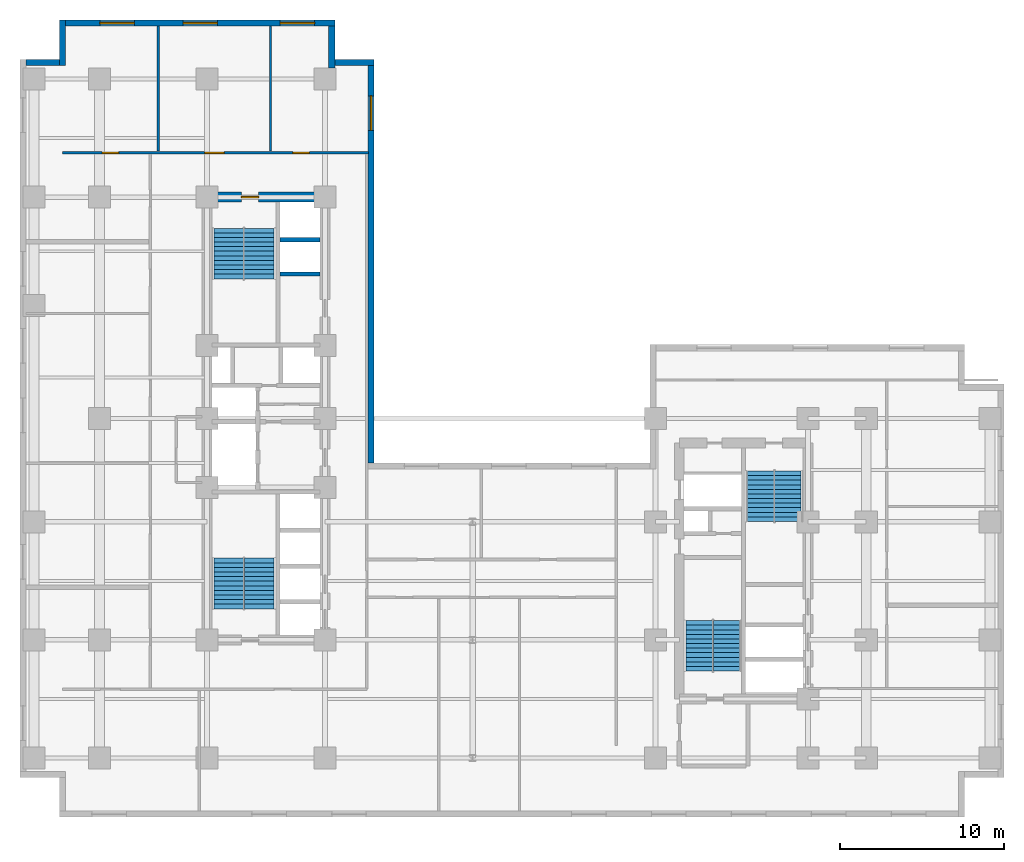
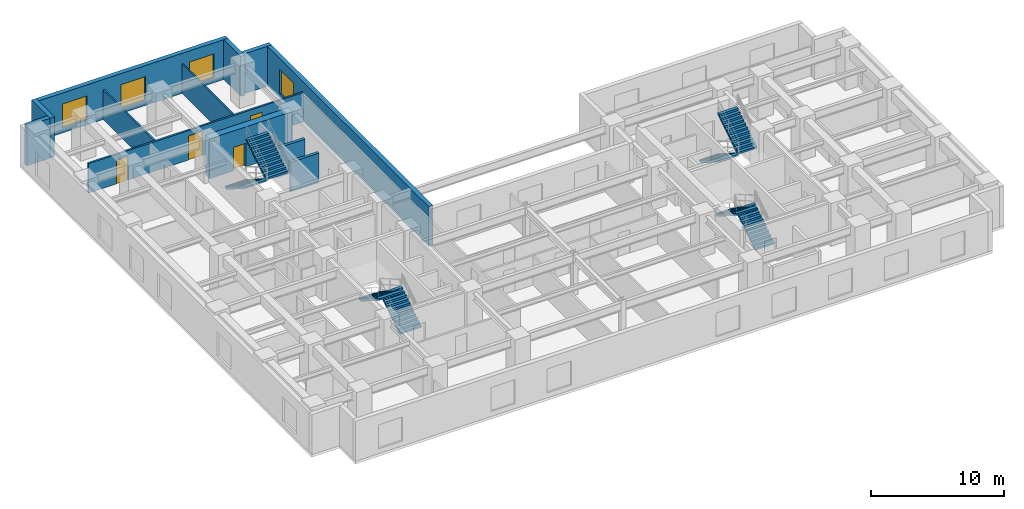
# One storey, part 6 of 9: 12 walls, 8 stair flights, 4 doors, 4 windows, 8 openings, 4 elements without a shape of their own.
"""IFC4 building model written with IfcOpenShell, lengths in metres."""

from ifc_helpers import new_model, entity, si_unit, converted_unit, direction, frame, origin_with_axes, origin_2d_with_axis, place, context, subcontext, project, spatial, polyline, rectangle, outline, extrude, material, layer, layer_set, type_object, element, fill, aggregate, save


model = new_model("IFC4")

# Units and contexts
model_context = context("Model", 3, precision=1e-05, world=origin_with_axes(), true_north=direction((0.0, 1.0)))
body_context = subcontext(model_context, "Body", "Model", "MODEL_VIEW")
ifc_project = project(units=[si_unit("LENGTHUNIT", "METRE"), si_unit("AREAUNIT", "SQUARE_METRE"), si_unit("VOLUMEUNIT", "CUBIC_METRE"), converted_unit("PLANEANGLEUNIT", "DEGREE", entity("IfcPlaneAngleMeasure", 0.017453292519943295), si_unit("PLANEANGLEUNIT", "RADIAN"), dimensions=[0, 0, 0, 0, 0, 0, 0]), si_unit("MASSUNIT", "GRAM", prefix="KILO"), si_unit("THERMODYNAMICTEMPERATUREUNIT", "KELVIN")], contexts=[model_context])

# Site, building, storey
site_placement = place(None, origin_with_axes())
site = spatial("IfcSite", under=ifc_project, at=site_placement, CompositionType="ELEMENT")
building_placement = place(site_placement, origin_with_axes())
building = spatial("IfcBuilding", under=site, at=building_placement, Name="Varnlund Millrace Tower", CompositionType="ELEMENT")
storey_placement = place(building_placement, frame((0.0, 0.0, 56.1), z_axis=(0.0, 0.0, 1.0), x_axis=(1.0, 0.0, 0.0)))
storey = spatial("IfcBuildingStorey", under=building, at=storey_placement, Name="L13", CompositionType="ELEMENT", Elevation=56.1)

# Wall, opening, door
ifc_material_1 = material(Name="Concrete C80/95", Category="concrete")
ifc_layer_1 = layer(ifc_material_1, 0.6, Name="Concrete C80/95")
ifc_layer_set_1 = layer_set([ifc_layer_1], Name="Concrete C80/95")
wall_type_1 = type_object("IfcWallType", Name="Type-CoreWall-Shear-600-C80", PredefinedType="SHEAR", material=ifc_layer_set_1)
wall_1_placement = place(storey_placement, frame((11.4, 37.8, 0.0), z_axis=(0.0, 0.0, 1.0), x_axis=(1.0, 0.0, 0.0)))
wall_1 = element("IfcWall", 1, at=wall_1_placement, inside=storey, type_object=wall_type_1, Name="Type-CoreWall-Shear-600-C80", PredefinedType="SHEAR", context=body_context, shape_type="SweptSolid", body=[
    extrude(outline(polyline([(0.0, -0.3), (7.2, -0.3), (7.2, 0.3), (0.0, 0.3), (0.0, -0.3)])), origin_with_axes(), (0.0, 0.0, 1.0), 3.66),
])
opening_1_placement = place(wall_1_placement, frame((2.625, 0.0, 0.0), z_axis=(0.0, 0.0, 1.0), x_axis=(1.0, 0.0, 0.0)))
opening_1 = element("IfcOpeningElement", 2, at=opening_1_placement, cuts=wall_1, Name="Opening L13:DR-STA2", PredefinedType="OPENING", context=body_context, shape_type="SweptSolid", body=[
    extrude(rectangle(XDim=1.05, YDim=0.62, at=origin_2d_with_axis()), origin_with_axes(), (0.0, 0.0, 1.0), 2.15),
])
ifc_material_2 = material(Name="Fire-rated hollow steel door", Category="steel")
door_type_1 = type_object("IfcDoorType", Name="Type-FireDoor-Stair-1050X2150", OperationType="NOTDEFINED", PredefinedType="DOOR", material=ifc_material_2)
door_1_placement = place(wall_1_placement, frame((2.625, 0.0, 0.0), z_axis=(0.0, 0.0, 1.0), x_axis=(1.0, 0.0, 0.0)))
door_1 = element("IfcDoor", 3, at=door_1_placement, inside=storey, type_object=door_type_1, Name="Type-FireDoor-Stair-1050X2150", OperationType="SINGLE_SWING_RIGHT", OverallHeight=2.15, OverallWidth=1.05, PredefinedType="DOOR", context=body_context, shape_type="SweptSolid", body=[
    extrude(rectangle(XDim=1.05, YDim=0.09, at=origin_2d_with_axis()), origin_with_axes(), (0.0, 0.0, 1.0), 2.15),
])
fill(opening_1, door_1)

# Walls
ifc_material_3 = material(Name="Precast concrete C50/60", Category="concrete")
ifc_layer_2 = layer(ifc_material_3, 0.38, Name="Precast concrete C50/60")
ifc_layer_set_2 = layer_set([ifc_layer_2], Name="Precast concrete C50/60")
wall_type_2 = type_object("IfcWallType", Name="Type-ExtWall-Precast-Tube-380", PredefinedType="SOLIDWALL", material=ifc_layer_set_2)
wall_2_placement = place(storey_placement, frame((0.38, 46.01, 0.0), z_axis=(0.0, 0.0, 1.0), x_axis=(1.0, 0.0, 0.0)))
element("IfcWall", 4, at=wall_2_placement, inside=storey, type_object=wall_type_2, Name="Type-ExtWall-Precast-Tube-380", PredefinedType="SOLIDWALL", context=body_context, shape_type="SweptSolid", body=[
    extrude(outline(polyline([(0.0, -0.19), (2.02, -0.19), (2.02, 0.19), (0.0, 0.19), (0.0, -0.19)])), origin_with_axes(), (0.0, 0.0, 1.0), 3.66),
])
wall_3_placement = place(storey_placement, frame((2.59, 45.82, 0.0), z_axis=(0.0, 0.0, 1.0), x_axis=(0.0, 1.0, 0.0)))
element("IfcWall", 5, at=wall_3_placement, inside=storey, type_object=wall_type_2, Name="Type-ExtWall-Precast-Tube-380", PredefinedType="SOLIDWALL", context=body_context, shape_type="SweptSolid", body=[
    extrude(outline(polyline([(0.0, -0.19), (2.78, -0.19), (2.78, 0.19), (0.0, 0.19), (0.0, -0.19)])), origin_with_axes(), (0.0, 0.0, 1.0), 3.66),
])

# Wall, openings, windows
wall_4_placement = place(storey_placement, frame((2.78, 48.41, 0.0), z_axis=(0.0, 0.0, 1.0), x_axis=(1.0, 0.0, 0.0)))
wall_4 = element("IfcWall", 6, at=wall_4_placement, inside=storey, type_object=wall_type_2, Name="Type-ExtWall-Precast-Tube-380", PredefinedType="SOLIDWALL", context=body_context, shape_type="SweptSolid", body=[
    extrude(outline(polyline([(0.0, -0.19), (16.42, -0.19), (16.42, 0.19), (0.0, 0.19), (0.0, -0.19)])), origin_with_axes(), (0.0, 0.0, 1.0), 3.66),
])
opening_2_placement = place(wall_4_placement, frame((3.137, 0.0, 0.45), z_axis=(0.0, 0.0, 1.0), x_axis=(1.0, 0.0, 0.0)))
opening_2 = element("IfcOpeningElement", 7, at=opening_2_placement, cuts=wall_4, Name="Opening L13:WN-20", PredefinedType="OPENING", context=body_context, shape_type="SweptSolid", body=[
    extrude(rectangle(XDim=2.1, YDim=0.4, at=origin_2d_with_axis()), origin_with_axes(), (0.0, 0.0, 1.0), 2.2),
])
opening_3_placement = place(wall_4_placement, frame((8.21, 0.0, 0.45), z_axis=(0.0, 0.0, 1.0), x_axis=(1.0, 0.0, 0.0)))
opening_3 = element("IfcOpeningElement", 8, at=opening_3_placement, cuts=wall_4, Name="Opening L13:WN-21", PredefinedType="OPENING", context=body_context, shape_type="SweptSolid", body=[
    extrude(rectangle(XDim=2.1, YDim=0.4, at=origin_2d_with_axis()), origin_with_axes(), (0.0, 0.0, 1.0), 2.2),
])
opening_4_placement = place(wall_4_placement, frame((14.133, 0.0, 0.45), z_axis=(0.0, 0.0, 1.0), x_axis=(1.0, 0.0, 0.0)))
opening_4 = element("IfcOpeningElement", 9, at=opening_4_placement, cuts=wall_4, Name="Opening L13:WN-22", PredefinedType="OPENING", context=body_context, shape_type="SweptSolid", body=[
    extrude(rectangle(XDim=2.1, YDim=0.4, at=origin_2d_with_axis()), origin_with_axes(), (0.0, 0.0, 1.0), 2.2),
])
ifc_material_4 = material(Name="Argon low-e triple glazing in thermally broken bronze frame", Category="glass")
window_type = type_object("IfcWindowType", Name="Type-Window-Punched-2100X2200", PartitioningType="SINGLE_PANEL", PredefinedType="WINDOW", material=ifc_material_4)
window_1_placement = place(wall_4_placement, frame((3.137, 0.0, 0.45), z_axis=(0.0, 0.0, 1.0), x_axis=(1.0, 0.0, 0.0)))
window_1 = element("IfcWindow", 10, at=window_1_placement, inside=storey, type_object=window_type, Name="Type-Window-Punched-2100X2200", OverallHeight=2.2, OverallWidth=2.1, PredefinedType="WINDOW", context=body_context, shape_type="SweptSolid", body=[
    extrude(rectangle(XDim=2.1, YDim=0.09, at=origin_2d_with_axis()), origin_with_axes(), (0.0, 0.0, 1.0), 2.2),
])
fill(opening_2, window_1)
window_2_placement = place(wall_4_placement, frame((8.21, 0.0, 0.45), z_axis=(0.0, 0.0, 1.0), x_axis=(1.0, 0.0, 0.0)))
window_2 = element("IfcWindow", 11, at=window_2_placement, inside=storey, type_object=window_type, Name="Type-Window-Punched-2100X2200", OverallHeight=2.2, OverallWidth=2.1, PredefinedType="WINDOW", context=body_context, shape_type="SweptSolid", body=[
    extrude(rectangle(XDim=2.1, YDim=0.09, at=origin_2d_with_axis()), origin_with_axes(), (0.0, 0.0, 1.0), 2.2),
])
fill(opening_3, window_2)
window_3_placement = place(wall_4_placement, frame((14.133, 0.0, 0.45), z_axis=(0.0, 0.0, 1.0), x_axis=(1.0, 0.0, 0.0)))
window_3 = element("IfcWindow", 12, at=window_3_placement, inside=storey, type_object=window_type, Name="Type-Window-Punched-2100X2200", OverallHeight=2.2, OverallWidth=2.1, PredefinedType="WINDOW", context=body_context, shape_type="SweptSolid", body=[
    extrude(rectangle(XDim=2.1, YDim=0.09, at=origin_2d_with_axis()), origin_with_axes(), (0.0, 0.0, 1.0), 2.2),
])
fill(opening_4, window_3)

# Walls
wall_5_placement = place(storey_placement, frame((19.01, 48.22, 0.0), z_axis=(0.0, 0.0, 1.0), x_axis=(0.0, -1.0, 0.0)))
element("IfcWall", 13, at=wall_5_placement, inside=storey, type_object=wall_type_2, Name="Type-ExtWall-Precast-Tube-380", PredefinedType="SOLIDWALL", context=body_context, shape_type="SweptSolid", body=[
    extrude(outline(polyline([(0.0, -0.19), (2.56, -0.19), (2.56, 0.19), (0.0, 0.19), (0.0, -0.19)])), origin_with_axes(), (0.0, 0.0, 1.0), 3.66),
])
wall_6_placement = place(storey_placement, frame((18.82, 46.01, 0.0), z_axis=(0.0, 0.0, 1.0), x_axis=(1.0, 0.0, 0.0)))
element("IfcWall", 14, at=wall_6_placement, inside=storey, type_object=wall_type_2, Name="Type-ExtWall-Precast-Tube-380", PredefinedType="SOLIDWALL", context=body_context, shape_type="SweptSolid", body=[
    extrude(outline(polyline([(0.0, -0.19), (2.78, -0.19), (2.78, 0.19), (0.0, 0.19), (0.0, -0.19)])), origin_with_axes(), (0.0, 0.0, 1.0), 3.66),
])

# Wall, opening, window
wall_7_placement = place(storey_placement, frame((21.41, 45.82, 0.0), z_axis=(0.0, 0.0, 1.0), x_axis=(0.0, -1.0, 0.0)))
wall_7 = element("IfcWall", 15, at=wall_7_placement, inside=storey, type_object=wall_type_2, Name="Type-ExtWall-Precast-Tube-380", PredefinedType="SOLIDWALL", context=body_context, shape_type="SweptSolid", body=[
    extrude(outline(polyline([(0.0, -0.19), (24.22, -0.19), (24.22, 0.19), (0.0, 0.19), (0.0, -0.19)])), origin_with_axes(), (0.0, 0.0, 1.0), 3.66),
])
opening_5_placement = place(wall_7_placement, frame((2.902, 0.0, 0.45), z_axis=(0.0, 0.0, 1.0), x_axis=(1.0, 0.0, 0.0)))
opening_5 = element("IfcOpeningElement", 16, at=opening_5_placement, cuts=wall_7, Name="Opening L13:WN-23", PredefinedType="OPENING", context=body_context, shape_type="SweptSolid", body=[
    extrude(rectangle(XDim=2.1, YDim=0.4, at=origin_2d_with_axis()), origin_with_axes(), (0.0, 0.0, 1.0), 2.2),
])
window_4_placement = place(wall_7_placement, frame((2.902, 0.0, 0.45), z_axis=(0.0, 0.0, 1.0), x_axis=(1.0, 0.0, 0.0)))
window_4 = element("IfcWindow", 17, at=window_4_placement, inside=storey, type_object=window_type, Name="Type-Window-Punched-2100X2200", OverallHeight=2.2, OverallWidth=2.1, PredefinedType="WINDOW", context=body_context, shape_type="SweptSolid", body=[
    extrude(rectangle(XDim=2.1, YDim=0.09, at=origin_2d_with_axis()), origin_with_axes(), (0.0, 0.0, 1.0), 2.2),
])
fill(opening_5, window_4)

# Wall, openings, doors
ifc_material_5 = material(Name="Fire-rated gypsum board on cold-formed steel framing", Category="steel")
ifc_layer_3 = layer(ifc_material_5, 0.16, Name="Fire-rated gypsum board on cold-formed steel framing")
ifc_layer_set_3 = layer_set([ifc_layer_3], Name="Fire-rated gypsum board on cold-formed steel framing")
wall_type_3 = type_object("IfcWallType", Name="Type-Partition-Corridor-160", PredefinedType="PARTITIONING", material=ifc_layer_set_3)
wall_8_placement = place(storey_placement, frame((2.6, 40.5, 0.0), z_axis=(0.0, 0.0, 1.0), x_axis=(1.0, 0.0, 0.0)))
wall_8 = element("IfcWall", 18, at=wall_8_placement, inside=storey, type_object=wall_type_3, Name="Type-Partition-Corridor-160", PredefinedType="PARTITIONING", context=body_context, shape_type="SweptSolid", body=[
    extrude(outline(polyline([(0.0, -0.08), (18.65, -0.08), (18.65, 0.08), (0.0, 0.08), (0.0, -0.08)])), origin_with_axes(), (0.0, 0.0, 1.0), 2.7),
])
opening_6_placement = place(wall_8_placement, frame((2.915, 0.0, 0.0), z_axis=(0.0, 0.0, 1.0), x_axis=(1.0, 0.0, 0.0)))
opening_6 = element("IfcOpeningElement", 19, at=opening_6_placement, cuts=wall_8, Name="Opening L13:DR-WAN-01", PredefinedType="OPENING", context=body_context, shape_type="SweptSolid", body=[
    extrude(rectangle(XDim=1.0, YDim=0.18, at=origin_2d_with_axis()), origin_with_axes(), (0.0, 0.0, 1.0), 2.15),
])
opening_7_placement = place(wall_8_placement, frame((9.2535, 0.0, 0.0), z_axis=(0.0, 0.0, 1.0), x_axis=(1.0, 0.0, 0.0)))
opening_7 = element("IfcOpeningElement", 20, at=opening_7_placement, cuts=wall_8, Name="Opening L13:DR-WAN-02", PredefinedType="OPENING", context=body_context, shape_type="SweptSolid", body=[
    extrude(rectangle(XDim=1.2, YDim=0.18, at=origin_2d_with_axis()), origin_with_axes(), (0.0, 0.0, 1.0), 2.2),
])
opening_8_placement = place(wall_8_placement, frame((14.5435, 0.0, 0.0), z_axis=(0.0, 0.0, 1.0), x_axis=(1.0, 0.0, 0.0)))
opening_8 = element("IfcOpeningElement", 21, at=opening_8_placement, cuts=wall_8, Name="Opening L13:DR-WAN-03", PredefinedType="OPENING", context=body_context, shape_type="SweptSolid", body=[
    extrude(rectangle(XDim=1.0, YDim=0.18, at=origin_2d_with_axis()), origin_with_axes(), (0.0, 0.0, 1.0), 2.15),
])
ifc_material_6 = material(Name="Wide executive white oak acoustic door")
door_type_2 = type_object("IfcDoorType", Name="Type-IntDoor-Exec-1200X2200", OperationType="NOTDEFINED", PredefinedType="DOOR", material=ifc_material_6)
door_2_placement = place(wall_8_placement, frame((9.2535, 0.0, 0.0), z_axis=(0.0, 0.0, 1.0), x_axis=(1.0, 0.0, 0.0)))
door_2 = element("IfcDoor", 22, at=door_2_placement, inside=storey, type_object=door_type_2, Name="Type-IntDoor-Exec-1200X2200", OperationType="SINGLE_SWING_RIGHT", OverallHeight=2.2, OverallWidth=1.2, PredefinedType="DOOR", context=body_context, shape_type="SweptSolid", body=[
    extrude(rectangle(XDim=1.2, YDim=0.09, at=origin_2d_with_axis()), origin_with_axes(), (0.0, 0.0, 1.0), 2.2),
])
fill(opening_7, door_2)
ifc_material_7 = material(Name="Solid-core white oak and bronze frame door")
door_type_3 = type_object("IfcDoorType", Name="Type-IntDoor-Office-1000X2150", OperationType="NOTDEFINED", PredefinedType="DOOR", material=ifc_material_7)
door_3_placement = place(wall_8_placement, frame((2.915, 0.0, 0.0), z_axis=(0.0, 0.0, 1.0), x_axis=(1.0, 0.0, 0.0)))
door_3 = element("IfcDoor", 23, at=door_3_placement, inside=storey, type_object=door_type_3, Name="Type-IntDoor-Office-1000X2150", OperationType="SINGLE_SWING_LEFT", OverallHeight=2.15, OverallWidth=1.0, PredefinedType="DOOR", context=body_context, shape_type="SweptSolid", body=[
    extrude(rectangle(XDim=1.0, YDim=0.09, at=origin_2d_with_axis()), origin_with_axes(), (0.0, 0.0, 1.0), 2.15),
])
fill(opening_6, door_3)
door_4_placement = place(wall_8_placement, frame((14.5435, 0.0, 0.0), z_axis=(0.0, 0.0, 1.0), x_axis=(1.0, 0.0, 0.0)))
door_4 = element("IfcDoor", 24, at=door_4_placement, inside=storey, type_object=door_type_3, Name="Type-IntDoor-Office-1000X2150", OperationType="SINGLE_SWING_LEFT", OverallHeight=2.15, OverallWidth=1.0, PredefinedType="DOOR", context=body_context, shape_type="SweptSolid", body=[
    extrude(rectangle(XDim=1.0, YDim=0.09, at=origin_2d_with_axis()), origin_with_axes(), (0.0, 0.0, 1.0), 2.15),
])
fill(opening_8, door_4)

# Walls
ifc_material_8 = material(Name="Acoustic STC-50 gypsum board partition", Category="gypsum")
ifc_layer_4 = layer(ifc_material_8, 0.15, Name="Acoustic STC-50 gypsum board partition")
ifc_layer_set_4 = layer_set([ifc_layer_4], Name="Acoustic STC-50 gypsum board partition")
wall_type_4 = type_object("IfcWallType", Name="Type-Partition-Demising-150", PredefinedType="PARTITIONING", material=ifc_layer_set_4)
wall_9_placement = place(storey_placement, frame((8.44, 40.6, 0.0), z_axis=(0.0, 0.0, 1.0), x_axis=(0.0, 1.0, 0.0)))
element("IfcWall", 25, at=wall_9_placement, inside=storey, type_object=wall_type_4, Name="Type-Partition-Demising-150", PredefinedType="PARTITIONING", context=body_context, shape_type="SweptSolid", body=[
    extrude(outline(polyline([(0.0, -0.075), (7.64, -0.075), (7.64, 0.075), (0.0, 0.075), (0.0, -0.075)])), origin_with_axes(), (0.0, 0.0, 1.0), 2.7),
])
ifc_material_9 = material(Name="Gypsum board tenant partition", Category="gypsum")
ifc_layer_5 = layer(ifc_material_9, 0.125, Name="Gypsum board tenant partition")
ifc_layer_set_5 = layer_set([ifc_layer_5], Name="Gypsum board tenant partition")
wall_type_5 = type_object("IfcWallType", Name="Type-Partition-Tenant-125", PredefinedType="PARTITIONING", material=ifc_layer_set_5)
wall_10_placement = place(storey_placement, frame((15.267, 40.6, 0.0), z_axis=(0.0, 0.0, 1.0), x_axis=(0.0, 1.0, 0.0)))
element("IfcWall", 26, at=wall_10_placement, inside=storey, type_object=wall_type_5, Name="Type-Partition-Tenant-125", PredefinedType="PARTITIONING", context=body_context, shape_type="SweptSolid", body=[
    extrude(outline(polyline([(0.0, -0.0625), (7.64, -0.0625), (7.64, 0.0625), (0.0, 0.0625), (0.0, -0.0625)])), origin_with_axes(), (0.0, 0.0, 1.0), 2.7),
])
ifc_material_10 = material(Name="Concrete C60/75", Category="concrete")
ifc_layer_6 = layer(ifc_material_10, 0.25, Name="Concrete C60/75")
ifc_layer_set_6 = layer_set([ifc_layer_6], Name="Concrete C60/75")
wall_type_6 = type_object("IfcWallType", Name="Type-ShaftWall-Fire-250", PredefinedType="SOLIDWALL", material=ifc_layer_set_6)
for number, where, z_axis, x_axis, name in (
    (27, (15.84, 33.1, 0.0), (0.0, 0.0, 1.0), (1.0, 0.0, 0.0), "Type-ShaftWall-Fire-250"),
    (28, (15.84, 35.2, 0.0), (0.0, 0.0, 1.0), (1.0, 0.0, 0.0), "Type-ShaftWall-Fire-250"),
):
    element("IfcWall", number, at=place(storey_placement, frame(where, z_axis=z_axis, x_axis=x_axis)), inside=storey, type_object=wall_type_6, Name=name, PredefinedType="SOLIDWALL", context=body_context, shape_type="SweptSolid", body=[
        extrude(outline(polyline([(0.0, -0.125), (2.46, -0.125), (2.46, 0.125), (0.0, 0.125), (0.0, -0.125)])), origin_with_axes(), (0.0, 0.0, 1.0), 2.7),
    ])

# Stair, stair flights
ifc_material_11 = material(Name="Concrete C50/60", Category="concrete")
stair_type_1 = type_object("IfcStairType", Name="Type-Stair-Dogleg-165-390", PredefinedType="HALF_TURN_STAIR", material=ifc_material_11)
stair_1_placement = place(storey_placement, origin_with_axes())
stair_1 = element("IfcStair", 29, at=stair_1_placement, inside=storey, type_object=stair_type_1, Name="Type-Stair-Dogleg-165-390", PredefinedType="HALF_TURN_STAIR")
stair_flight_type_1 = type_object("IfcStairFlightType", Name="Type-Dogleg-Run-165-390", PredefinedType="STRAIGHT", material=ifc_material_3)
stair_flight_1_placement = place(storey_placement, frame((42.225, 8.9, 0.0), z_axis=(1.0, 0.0, 0.0), x_axis=(0.0, 1.0, 0.0)))
stair_flight_1 = element("IfcStairFlight", 30, at=stair_flight_1_placement, type_object=stair_flight_type_1, Name="ST-B1 flight 1", NumberOfRisers=11, NumberOfTreads=11, PredefinedType="STRAIGHT", RiserHeight=0.177273, TreadLength=0.28, context=body_context, shape_type="SweptSolid", body=[
    extrude(outline(polyline([(0.0, 0.0), (0.0, 0.177273), (0.28, 0.177273), (0.28, 0.354545), (0.56, 0.354545), (0.56, 0.531818), (0.84, 0.531818), (0.84, 0.709091), (1.12, 0.709091), (1.12, 0.886364), (1.4, 0.886364), (1.4, 1.063636), (1.68, 1.063636), (1.68, 1.240909), (1.96, 1.240909), (1.96, 1.418182), (2.24, 1.418182), (2.24, 1.595454), (2.52, 1.595454), (2.52, 1.772727), (2.8, 1.772727), (2.8, 1.95), (3.08, 1.95), (3.08, 1.8), (0.28, 0.0), (0.0, 0.0)])), origin_with_axes(), (0.0, 0.0, 1.0), 1.65),
])
stair_flight_2_placement = place(storey_placement, frame((42.275, 11.98, 1.95), z_axis=(-1.0, 0.0, 0.0), x_axis=(0.0, -1.0, 0.0)))
stair_flight_2 = element("IfcStairFlight", 31, at=stair_flight_2_placement, type_object=stair_flight_type_1, Name="ST-B1 flight 2", NumberOfRisers=11, NumberOfTreads=11, PredefinedType="STRAIGHT", RiserHeight=0.177273, TreadLength=0.28, context=body_context, shape_type="SweptSolid", body=[
    extrude(outline(polyline([(0.0, 0.0), (0.0, 0.177273), (0.28, 0.177273), (0.28, 0.354545), (0.56, 0.354545), (0.56, 0.531818), (0.84, 0.531818), (0.84, 0.709091), (1.12, 0.709091), (1.12, 0.886364), (1.4, 0.886364), (1.4, 1.063636), (1.68, 1.063636), (1.68, 1.240909), (1.96, 1.240909), (1.96, 1.418182), (2.24, 1.418182), (2.24, 1.595454), (2.52, 1.595454), (2.52, 1.772727), (2.8, 1.772727), (2.8, 1.95), (3.08, 1.95), (3.08, 1.8), (0.28, 0.0), (0.0, 0.0)])), origin_with_axes(), (0.0, 0.0, 1.0), 1.65),
])
aggregate(stair_1, [stair_flight_1, stair_flight_2])

stair_2_placement = place(storey_placement, origin_with_axes())
stair_2 = element("IfcStair", 32, at=stair_2_placement, inside=storey, type_object=stair_type_1, Name="Type-Stair-Dogleg-165-390", PredefinedType="HALF_TURN_STAIR")
stair_flight_3_placement = place(storey_placement, frame((46.025, 21.1, 0.0), z_axis=(-1.0, 0.0, 0.0), x_axis=(0.0, -1.0, 0.0)))
stair_flight_3 = element("IfcStairFlight", 33, at=stair_flight_3_placement, type_object=stair_flight_type_1, Name="ST-B2 flight 1", NumberOfRisers=11, NumberOfTreads=11, PredefinedType="STRAIGHT", RiserHeight=0.177273, TreadLength=0.28, context=body_context, shape_type="SweptSolid", body=[
    extrude(outline(polyline([(0.0, 0.0), (0.0, 0.177273), (0.28, 0.177273), (0.28, 0.354545), (0.56, 0.354545), (0.56, 0.531818), (0.84, 0.531818), (0.84, 0.709091), (1.12, 0.709091), (1.12, 0.886364), (1.4, 0.886364), (1.4, 1.063636), (1.68, 1.063636), (1.68, 1.240909), (1.96, 1.240909), (1.96, 1.418182), (2.24, 1.418182), (2.24, 1.595454), (2.52, 1.595454), (2.52, 1.772727), (2.8, 1.772727), (2.8, 1.95), (3.08, 1.95), (3.08, 1.8), (0.28, 0.0), (0.0, 0.0)])), origin_with_axes(), (0.0, 0.0, 1.0), 1.65),
])
stair_flight_4_placement = place(storey_placement, frame((45.975, 18.02, 1.95), z_axis=(1.0, 0.0, 0.0), x_axis=(0.0, 1.0, 0.0)))
stair_flight_4 = element("IfcStairFlight", 34, at=stair_flight_4_placement, type_object=stair_flight_type_1, Name="ST-B2 flight 2", NumberOfRisers=11, NumberOfTreads=11, PredefinedType="STRAIGHT", RiserHeight=0.177273, TreadLength=0.28, context=body_context, shape_type="SweptSolid", body=[
    extrude(outline(polyline([(0.0, 0.0), (0.0, 0.177273), (0.28, 0.177273), (0.28, 0.354545), (0.56, 0.354545), (0.56, 0.531818), (0.84, 0.531818), (0.84, 0.709091), (1.12, 0.709091), (1.12, 0.886364), (1.4, 0.886364), (1.4, 1.063636), (1.68, 1.063636), (1.68, 1.240909), (1.96, 1.240909), (1.96, 1.418182), (2.24, 1.418182), (2.24, 1.595454), (2.52, 1.595454), (2.52, 1.772727), (2.8, 1.772727), (2.8, 1.95), (3.08, 1.95), (3.08, 1.8), (0.28, 0.0), (0.0, 0.0)])), origin_with_axes(), (0.0, 0.0, 1.0), 1.65),
])
aggregate(stair_2, [stair_flight_3, stair_flight_4])

stair_type_2 = type_object("IfcStairType", Name="Type-Stair-Dogleg-185-390", PredefinedType="HALF_TURN_STAIR", material=ifc_material_11)
stair_3_placement = place(storey_placement, origin_with_axes())
stair_3 = element("IfcStair", 35, at=stair_3_placement, inside=storey, type_object=stair_type_2, Name="Type-Stair-Dogleg-185-390", PredefinedType="HALF_TURN_STAIR")
stair_flight_type_2 = type_object("IfcStairFlightType", Name="Type-Dogleg-Run-185-390", PredefinedType="STRAIGHT", material=ifc_material_3)
stair_flight_5_placement = place(storey_placement, frame((13.625, 12.7, 0.0), z_axis=(1.0, 0.0, 0.0), x_axis=(0.0, 1.0, 0.0)))
stair_flight_5 = element("IfcStairFlight", 36, at=stair_flight_5_placement, type_object=stair_flight_type_2, Name="ST-A1 flight 1", NumberOfRisers=11, NumberOfTreads=11, PredefinedType="STRAIGHT", RiserHeight=0.177273, TreadLength=0.28, context=body_context, shape_type="SweptSolid", body=[
    extrude(outline(polyline([(0.0, 0.0), (0.0, 0.177273), (0.28, 0.177273), (0.28, 0.354545), (0.56, 0.354545), (0.56, 0.531818), (0.84, 0.531818), (0.84, 0.709091), (1.12, 0.709091), (1.12, 0.886364), (1.4, 0.886364), (1.4, 1.063636), (1.68, 1.063636), (1.68, 1.240909), (1.96, 1.240909), (1.96, 1.418182), (2.24, 1.418182), (2.24, 1.595454), (2.52, 1.595454), (2.52, 1.772727), (2.8, 1.772727), (2.8, 1.95), (3.08, 1.95), (3.08, 1.8), (0.28, 0.0), (0.0, 0.0)])), origin_with_axes(), (0.0, 0.0, 1.0), 1.85),
])
stair_flight_6_placement = place(storey_placement, frame((13.675, 15.78, 1.95), z_axis=(-1.0, 0.0, 0.0), x_axis=(0.0, -1.0, 0.0)))
stair_flight_6 = element("IfcStairFlight", 37, at=stair_flight_6_placement, type_object=stair_flight_type_2, Name="ST-A1 flight 2", NumberOfRisers=11, NumberOfTreads=11, PredefinedType="STRAIGHT", RiserHeight=0.177273, TreadLength=0.28, context=body_context, shape_type="SweptSolid", body=[
    extrude(outline(polyline([(0.0, 0.0), (0.0, 0.177273), (0.28, 0.177273), (0.28, 0.354545), (0.56, 0.354545), (0.56, 0.531818), (0.84, 0.531818), (0.84, 0.709091), (1.12, 0.709091), (1.12, 0.886364), (1.4, 0.886364), (1.4, 1.063636), (1.68, 1.063636), (1.68, 1.240909), (1.96, 1.240909), (1.96, 1.418182), (2.24, 1.418182), (2.24, 1.595454), (2.52, 1.595454), (2.52, 1.772727), (2.8, 1.772727), (2.8, 1.95), (3.08, 1.95), (3.08, 1.8), (0.28, 0.0), (0.0, 0.0)])), origin_with_axes(), (0.0, 0.0, 1.0), 1.85),
])
aggregate(stair_3, [stair_flight_5, stair_flight_6])

stair_4_placement = place(storey_placement, origin_with_axes())
stair_4 = element("IfcStair", 38, at=stair_4_placement, inside=storey, type_object=stair_type_2, Name="Type-Stair-Dogleg-185-390", PredefinedType="HALF_TURN_STAIR")
stair_flight_7_placement = place(storey_placement, frame((13.675, 35.9, 0.0), z_axis=(-1.0, 0.0, 0.0), x_axis=(0.0, -1.0, 0.0)))
stair_flight_7 = element("IfcStairFlight", 39, at=stair_flight_7_placement, type_object=stair_flight_type_2, Name="ST-A2 flight 1", NumberOfRisers=11, NumberOfTreads=11, PredefinedType="STRAIGHT", RiserHeight=0.177273, TreadLength=0.28, context=body_context, shape_type="SweptSolid", body=[
    extrude(outline(polyline([(0.0, 0.0), (0.0, 0.177273), (0.28, 0.177273), (0.28, 0.354545), (0.56, 0.354545), (0.56, 0.531818), (0.84, 0.531818), (0.84, 0.709091), (1.12, 0.709091), (1.12, 0.886364), (1.4, 0.886364), (1.4, 1.063636), (1.68, 1.063636), (1.68, 1.240909), (1.96, 1.240909), (1.96, 1.418182), (2.24, 1.418182), (2.24, 1.595454), (2.52, 1.595454), (2.52, 1.772727), (2.8, 1.772727), (2.8, 1.95), (3.08, 1.95), (3.08, 1.8), (0.28, 0.0), (0.0, 0.0)])), origin_with_axes(), (0.0, 0.0, 1.0), 1.85),
])
stair_flight_8_placement = place(storey_placement, frame((13.625, 32.82, 1.95), z_axis=(1.0, 0.0, 0.0), x_axis=(0.0, 1.0, 0.0)))
stair_flight_8 = element("IfcStairFlight", 40, at=stair_flight_8_placement, type_object=stair_flight_type_2, Name="ST-A2 flight 2", NumberOfRisers=11, NumberOfTreads=11, PredefinedType="STRAIGHT", RiserHeight=0.177273, TreadLength=0.28, context=body_context, shape_type="SweptSolid", body=[
    extrude(outline(polyline([(0.0, 0.0), (0.0, 0.177273), (0.28, 0.177273), (0.28, 0.354545), (0.56, 0.354545), (0.56, 0.531818), (0.84, 0.531818), (0.84, 0.709091), (1.12, 0.709091), (1.12, 0.886364), (1.4, 0.886364), (1.4, 1.063636), (1.68, 1.063636), (1.68, 1.240909), (1.96, 1.240909), (1.96, 1.418182), (2.24, 1.418182), (2.24, 1.595454), (2.52, 1.595454), (2.52, 1.772727), (2.8, 1.772727), (2.8, 1.95), (3.08, 1.95), (3.08, 1.8), (0.28, 0.0), (0.0, 0.0)])), origin_with_axes(), (0.0, 0.0, 1.0), 1.85),
])
aggregate(stair_4, [stair_flight_7, stair_flight_8])

save(model, "model.ifc")
